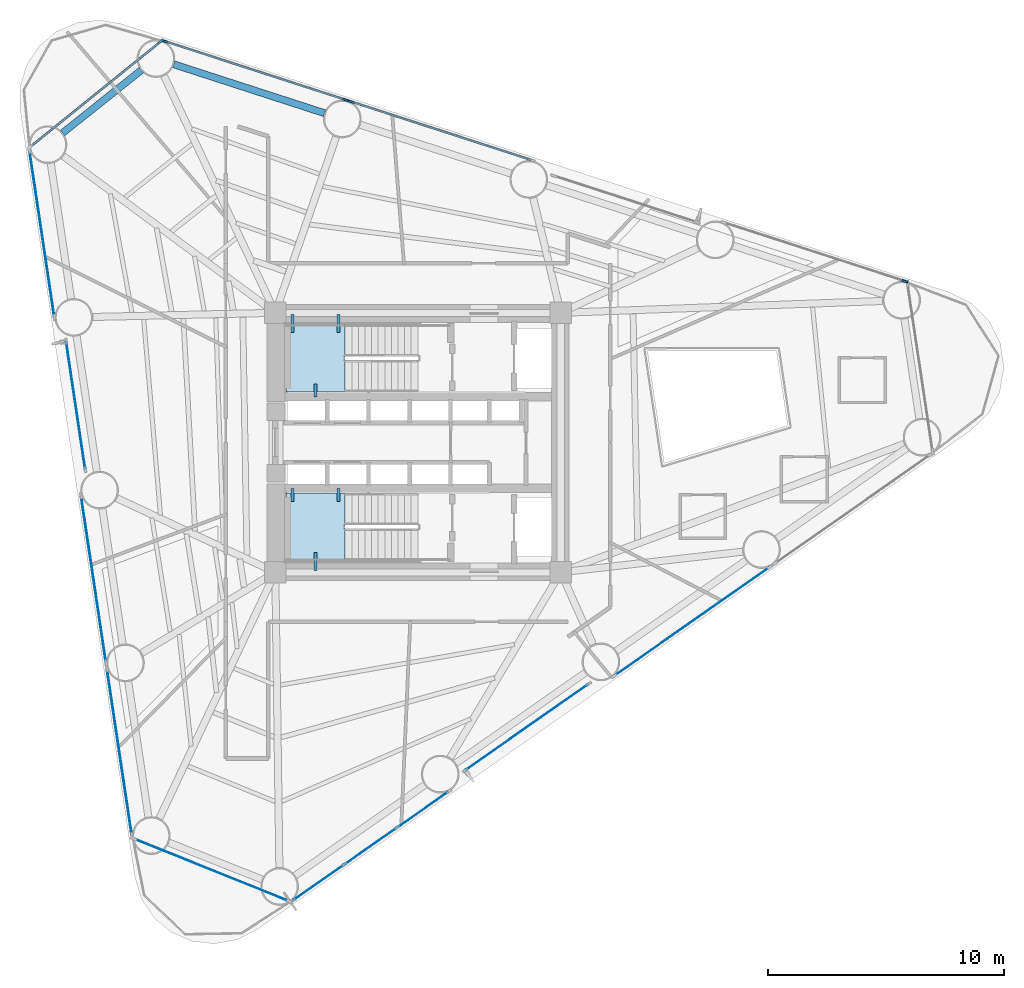
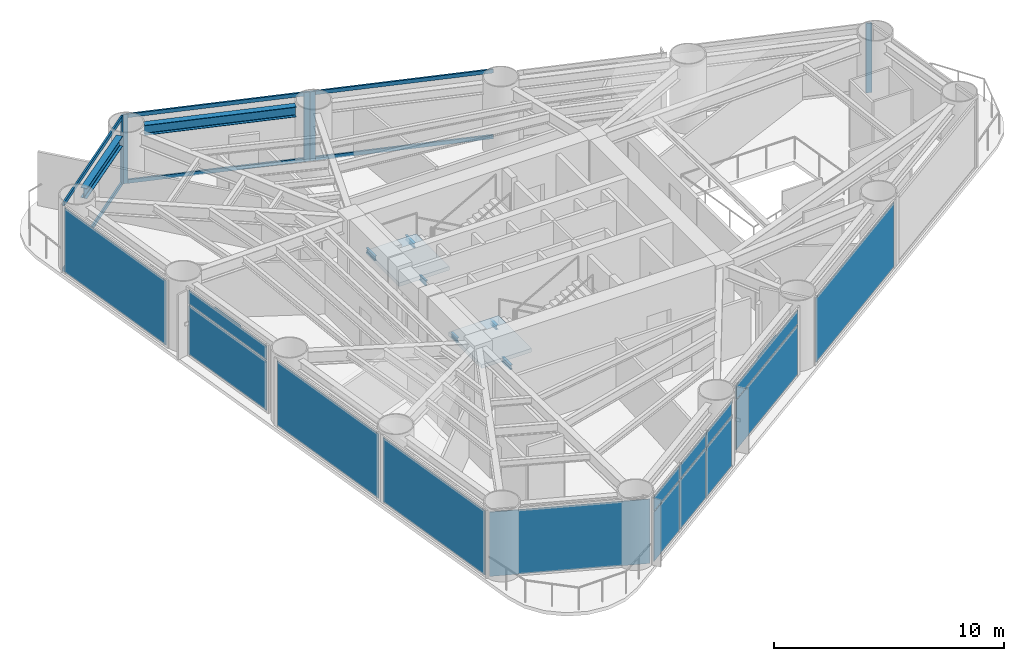
# One storey, part 4 of 9: 17 plates, 11 members, 8 beams, 2 slabs, 14 elements without a shape of their own.
"""IFC4 building model written with IfcOpenShell, lengths in metres."""

import ifcopenshell
import ifcopenshell.guid

model = None  # the IFC model being written
_history = None  # IfcOwnerHistory: only IFC2X3 demands one
_inside = {}  # id of a spatial element -> (the spatial element, [elements in it])
_under = {}  # id of a project, library or spatial element -> (it, [spatial elements below it])
_declared = {}  # id of a project -> (the project, [libraries it declares])
_typed = {}  # id of a type object -> (the type object, [elements of that type])
_made_of = {}  # id of a material, layer set ... -> (it, [elements and type objects made of it])


def new_model(schema):
    """Start an empty IFC model of exactly this schema.

    Asked for "IFC4X3", IfcOpenShell would pick the latest addendum, in which some entities
    have other attributes; the version numbers below select the first issue.
    IFC2X3 requires an IfcOwnerHistory on every rooted entity: one is made here for all.
    """
    global model, _history
    if schema == "IFC4X3":
        model = ifcopenshell.file(schema_version=(4, 3, 0, 0))
    else:
        model = ifcopenshell.file(schema=schema)
    _inside.clear()
    _under.clear()
    _declared.clear()
    _typed.clear()
    _made_of.clear()
    _history = None
    if model.schema == "IFC2X3":
        org = make("IfcOrganization", Name="unknown")
        user = make(
            "IfcPersonAndOrganization",
            ThePerson=make("IfcPerson", FamilyName="unknown"),
            TheOrganization=org,
        )
        app = make(
            "IfcApplication",
            ApplicationDeveloper=org,
            Version="unknown",
            ApplicationFullName="unknown",
            ApplicationIdentifier="unknown",
        )
        _history = make(
            "IfcOwnerHistory",
            OwningUser=user,
            OwningApplication=app,
            ChangeAction="ADDED",
            CreationDate=0,
        )
    return model


def make(cls, **values):
    """One entity of the class cls with the attributes given. An attribute that is None is left unset."""
    return model.create_entity(
        cls, **{name: value for name, value in values.items() if value is not None}
    )


def rooted(cls, **values):
    """An entity with a GlobalId (a new one), such as an element, a storey or a relation."""
    return make(cls, GlobalId=ifcopenshell.guid.new(), OwnerHistory=_history, **values)


def si_unit(unit_type, name, prefix=None):
    """IfcSIUnit, for example si_unit("LENGTHUNIT", "METRE", prefix="MILLI")."""
    return make("IfcSIUnit", UnitType=unit_type, Prefix=prefix, Name=name)


def assignment(units):
    """IfcUnitAssignment: the units of a project."""
    return None if units is None else make("IfcUnitAssignment", Units=units)


def point(xyz):
    """IfcCartesianPoint."""
    return None if xyz is None else make("IfcCartesianPoint", Coordinates=xyz)


def direction(xyz):
    """IfcDirection."""
    return None if xyz is None else make("IfcDirection", DirectionRatios=xyz)


def frame(location, z_axis=None, x_axis=None):
    """IfcAxis2Placement3D, a coordinate frame: its origin and axes. An axis left out is left unset."""
    return make(
        "IfcAxis2Placement3D",
        Location=point(location),
        Axis=direction(z_axis),
        RefDirection=direction(x_axis),
    )


def frame_2d(location, x_axis=None):
    """IfcAxis2Placement2D, a coordinate frame in the plane: its origin and x axis."""
    return make(
        "IfcAxis2Placement2D", Location=point(location), RefDirection=direction(x_axis)
    )


def origin():
    """The frame at (0, 0, 0) with its axes left unset."""
    return frame((0.0, 0.0, 0.0))


def origin_2d():
    """The frame at (0, 0) in the plane with its x axis left unset."""
    return frame_2d((0.0, 0.0))


def place(relative_to, where):
    """IfcLocalPlacement: puts the frame where relative to a parent placement (None: the world)."""
    return make(
        "IfcLocalPlacement", PlacementRelTo=relative_to, RelativePlacement=where
    )


def context(
    kind, dimensions, precision=None, world=None, true_north=None, identifier=None
):
    """IfcGeometricRepresentationContext, for example the 3D "Model" context."""
    return make(
        "IfcGeometricRepresentationContext",
        ContextIdentifier=identifier,
        ContextType=kind,
        CoordinateSpaceDimension=dimensions,
        Precision=precision,
        WorldCoordinateSystem=world,
        TrueNorth=true_north,
    )


def subcontext(parent, identifier, kind, view, scale=None):
    """IfcGeometricRepresentationSubContext, for example "Body" below "Model"."""
    return make(
        "IfcGeometricRepresentationSubContext",
        ContextIdentifier=identifier,
        ContextType=kind,
        ParentContext=parent,
        TargetScale=scale,
        TargetView=view,
    )


def project(units=None, contexts=None):
    """IfcProject with its units and contexts."""
    return rooted(
        "IfcProject",
        Name="project",
        RepresentationContexts=contexts,
        UnitsInContext=assignment(units),
    )


def spatial(cls, under=None, at=None, **own):
    """A site, building, storey or space (cls), placed at a placement, below another one or the project."""
    s = rooted(cls, ObjectPlacement=at, **own)
    if under is not None:
        _under.setdefault(under.id(), (under, []))[1].append(s)
    return s


def polyline(points):
    """IfcPolyline through the points."""
    return make("IfcPolyline", Points=[point(p) for p in points])


def profile(cls, at=None, kind="AREA", **sizes):
    """A parametric profile (cls). Its sizes go by their IFC names, for example OverallWidth=200.0."""
    return make(cls, ProfileType=kind, Position=at, **sizes)


def rectangle(**sizes):
    """IfcRectangleProfileDef."""
    return profile("IfcRectangleProfileDef", **sizes)


def i_section(**sizes):
    """IfcIShapeProfileDef."""
    return profile("IfcIShapeProfileDef", **sizes)


def outline(outer, holes=None, kind="AREA"):
    """IfcArbitraryClosedProfileDef: a profile drawn as a closed curve; with holes, ...WithVoids."""
    if holes is None:
        return make("IfcArbitraryClosedProfileDef", ProfileType=kind, OuterCurve=outer)
    return make(
        "IfcArbitraryProfileDefWithVoids",
        ProfileType=kind,
        OuterCurve=outer,
        InnerCurves=holes,
    )


def extrude(swept, where, along, depth):
    """IfcExtrudedAreaSolid: the profile swept, set in the frame where, extruded along a direction by depth."""
    return make(
        "IfcExtrudedAreaSolid",
        SweptArea=swept,
        Position=where,
        ExtrudedDirection=direction(along),
        Depth=depth,
    )


def shape(context_of_items, identifier, shape_type, items):
    """IfcShapeRepresentation: the items that make up one representation, for example the "Body"."""
    return make(
        "IfcShapeRepresentation",
        ContextOfItems=context_of_items,
        RepresentationIdentifier=identifier,
        RepresentationType=shape_type,
        Items=items,
    )


def source(mapping_origin, context_of_items, identifier, shape_type, items):
    """IfcRepresentationMap: a shape defined once, which mapped items show again and again."""
    return make(
        "IfcRepresentationMap",
        MappingOrigin=mapping_origin,
        MappedRepresentation=shape(context_of_items, identifier, shape_type, items),
    )


def transform(
    local_origin,
    x_axis=None,
    y_axis=None,
    z_axis=None,
    scale=None,
    scale2=None,
    scale3=None,
    uniform=True,
):
    """IfcCartesianTransformationOperator3D, or its non-uniform kind. x_axis, y_axis, z_axis: its Axis1, 2, 3."""
    if uniform:
        return make(
            "IfcCartesianTransformationOperator3D",
            Axis1=direction(x_axis),
            Axis2=direction(y_axis),
            LocalOrigin=point(local_origin),
            Scale=scale,
            Axis3=direction(z_axis),
        )
    return make(
        "IfcCartesianTransformationOperator3DnonUniform",
        Axis1=direction(x_axis),
        Axis2=direction(y_axis),
        LocalOrigin=point(local_origin),
        Scale=scale,
        Axis3=direction(z_axis),
        Scale2=scale2,
        Scale3=scale3,
    )


def mapped(mapping_source, mapping_target):
    """IfcMappedItem: shows the shape of a source again, moved by a transform."""
    return make(
        "IfcMappedItem", MappingSource=mapping_source, MappingTarget=mapping_target
    )


def material(Name=None, Category=None):
    """IfcMaterial."""
    return make("IfcMaterial", Name=Name, Category=Category)


def layer(
    of_material, thickness, ventilated=None, Name=None, Category=None, Priority=None
):
    """IfcMaterialLayer: one layer of a wall or slab, of a material (None: an air gap)."""
    return make(
        "IfcMaterialLayer",
        Material=of_material,
        LayerThickness=thickness,
        IsVentilated=ventilated,
        Name=Name,
        Category=Category,
        Priority=Priority,
    )


def layer_set(layers, Name=None):
    """IfcMaterialLayerSet."""
    return make("IfcMaterialLayerSet", MaterialLayers=layers, LayerSetName=Name)


def material_profile(
    of_material, cross_section, Name=None, Category=None, Priority=None
):
    """IfcMaterialProfile: a cross section and its material."""
    return make(
        "IfcMaterialProfile",
        Name=Name,
        Material=of_material,
        Profile=cross_section,
        Priority=Priority,
        Category=Category,
    )


def profile_set(profiles, Name=None, composite=None):
    """IfcMaterialProfileSet."""
    return make(
        "IfcMaterialProfileSet",
        Name=Name,
        MaterialProfiles=profiles,
        CompositeProfile=composite,
    )


def made_of(thing, what):
    """Note that an element or type object is made of a material, layer set ...; save() writes the relation."""
    if what is not None:
        _made_of.setdefault(what.id(), (what, []))[1].append(thing)
    return thing


def type_object(cls, material=None, **own):
    """A type object (cls), such as IfcWallType, which elements share."""
    return made_of(rooted(cls, **own), material)


def element(
    cls,
    number,
    at=None,
    inside=None,
    cuts=None,
    type_object=None,
    material=None,
    context=None,
    identifier="Body",
    shape_type=None,
    held_by="IfcProductDefinitionShape",
    body=None,
    shapes=None,
    **own,
):
    """One element of the class cls, such as IfcWall. Its Tag is "e" and its number.

    at: its placement. inside: the storey or other place that contains it. cuts: it is an
    opening in that element (IfcRelVoidsElement). A single representation is given by context,
    identifier, shape_type and body (its items); several are given by shapes. held_by: the class
    of the entity that holds the representations. save() writes the other relations.
    """
    e = rooted(cls, Tag="e%d" % number, ObjectPlacement=at, **own)
    if body is not None:
        shapes = [shape(context, identifier, shape_type, body)]
    if shapes is not None:
        e.Representation = make(held_by, Representations=shapes)
    if inside is not None:
        _inside.setdefault(inside.id(), (inside, []))[1].append(e)
    if cuts is not None:
        rooted(
            "IfcRelVoidsElement", RelatingBuildingElement=cuts, RelatedOpeningElement=e
        )
    if type_object is not None:
        _typed.setdefault(type_object.id(), (type_object, []))[1].append(e)
    return made_of(e, material)


def aggregate(whole, parts):
    """IfcRelAggregates: a whole, such as a stair, and the parts it consists of."""
    return rooted("IfcRelAggregates", RelatingObject=whole, RelatedObjects=parts)


def save(model, path):
    """Write the relations noted so far, then the file.

    IfcRelAggregates (storeys below a building ...), IfcRelContainedInSpatialStructure (elements
    in a storey), IfcRelDefinesByType, IfcRelAssociatesMaterial and IfcRelDeclares: one each for
    every whole, place, type object, material and project.
    """
    for whole, parts in _under.values():
        aggregate(whole, parts)
    for where, things in _inside.values():
        rooted(
            "IfcRelContainedInSpatialStructure",
            RelatedElements=things,
            RelatingStructure=where,
        )
    for kind, things in _typed.values():
        rooted("IfcRelDefinesByType", RelatedObjects=things, RelatingType=kind)
    for what, things in _made_of.values():
        rooted("IfcRelAssociatesMaterial", RelatedObjects=things, RelatingMaterial=what)
    for by, libraries in _declared.values():
        rooted("IfcRelDeclares", RelatingContext=by, RelatedDefinitions=libraries)
    model.write(path)


model = new_model("IFC4")

# Units and contexts
model_context = context("Model", 3, precision=1e-05, world=origin(), true_north=direction((0.0, 1.0)))
body_context = subcontext(model_context, "Body", "Model", "MODEL_VIEW")
ifc_project = project(units=[si_unit("LENGTHUNIT", "METRE"), si_unit("AREAUNIT", "SQUARE_METRE"), si_unit("VOLUMEUNIT", "CUBIC_METRE"), si_unit("PLANEANGLEUNIT", "RADIAN"), si_unit("MASSUNIT", "GRAM", prefix="KILO")], contexts=[model_context])

# Site, building, storey
site_placement = place(None, origin())
site = spatial("IfcSite", under=ifc_project, at=site_placement, CompositionType="ELEMENT")
building_placement = place(site_placement, origin())
building = spatial("IfcBuilding", under=site, at=building_placement, Name="Yunling Apex Tower", CompositionType="ELEMENT")
storey_placement = place(building_placement, frame((0.0, 0.0, 77.300048828125)))
storey = spatial("IfcBuildingStorey", under=building, at=storey_placement, Name="L20", CompositionType="ELEMENT", Elevation=77.300048828125)

# Beams
ifc_material_1 = material(Name="Steel Q355B", Category="steel")
ifc_material_profile_1 = material_profile(ifc_material_1, i_section(OverallWidth=0.125, OverallDepth=0.25, WebThickness=0.006103515625, FlangeThickness=0.009033203125, FilletRadius=0.011962890625, at=origin_2d()))
ifc_profile_set_1 = profile_set([ifc_material_profile_1], Name="Steel Q355B")
beam_type_1 = type_object("IfcBeamType", Name="BL-LNT-1", PredefinedType="LINTEL", material=ifc_profile_set_1)
shared_shape_1 = source(origin(), body_context, "Body", "SweptSolid", [
    extrude(i_section(OverallWidth=0.125, OverallDepth=0.25, WebThickness=0.006103515625, FlangeThickness=0.009033203125, FilletRadius=0.011962890625, at=origin_2d()), origin(), (0.0, 0.0, 1.0), 0.760009765625),
])
for number, where, z_axis, x_axis, name in (
    (1, (-5.320068359375, 5.419921875, 1.554931640625), (0.0, -1.0, 0.0), (1.0, 0.0, 0.0), "L20 ST-1 Landing Bearing Corbel 1-1"),
    (2, (-3.3701171875, 5.419921875, 1.554931640625), (0.0, -1.0, 0.0), (1.0, 0.0, 0.0), "L20 ST-1 Landing Bearing Corbel 1-2"),
    (3, (-4.344970703125, -5.419921875, 1.554931640625), (0.0, 1.0, 0.0), (-1.0, 0.0, 0.0), "L20 ST-2 Landing Bearing Corbel 1-3"),
):
    element("IfcBeam", number, at=place(storey_placement, frame(where, z_axis=z_axis, x_axis=x_axis)), inside=storey, type_object=beam_type_1, Name=name, PredefinedType="LINTEL", context=body_context, shape_type="MappedRepresentation", body=[
        mapped(shared_shape_1, transform((0.0, 0.0, 0.0), scale=1.0)),
    ])
shared_shape_2 = source(origin(), body_context, "Body", "SweptSolid", [
    extrude(i_section(OverallWidth=0.125, OverallDepth=0.25, WebThickness=0.006103515625, FlangeThickness=0.009033203125, FilletRadius=0.011962890625, at=origin_2d()), origin(), (0.0, 0.0, 1.0), 0.550048828125),
])
for number, where, z_axis, x_axis, name in (
    (4, (-4.344970703125, 1.93994140625, 1.554931640625), (0.0, 1.0, 0.0), (-1.0, 0.0, 0.0), "L20 ST-1 Landing Bearing Corbel 1-3"),
    (5, (-5.320068359375, -1.93994140625, 1.554931640625), (0.0, -1.0, 0.0), (1.0, 0.0, 0.0), "L20 ST-2 Landing Bearing Corbel 1-1"),
    (6, (-3.3701171875, -1.93994140625, 1.554931640625), (0.0, -1.0, 0.0), (1.0, 0.0, 0.0), "L20 ST-2 Landing Bearing Corbel 1-2"),
):
    element("IfcBeam", number, at=place(storey_placement, frame(where, z_axis=z_axis, x_axis=x_axis)), inside=storey, type_object=beam_type_1, Name=name, PredefinedType="LINTEL", context=body_context, shape_type="MappedRepresentation", body=[
        mapped(shared_shape_2, transform((0.0, 0.0, 0.0), scale=1.0)),
    ])
ifc_material_profile_2 = material_profile(ifc_material_1, i_section(OverallWidth=0.300048828125, OverallDepth=0.5400390625, WebThickness=0.011962890625, FlangeThickness=0.02001953125, FilletRadius=0.02392578125, at=origin_2d()))
ifc_profile_set_2 = profile_set([ifc_material_profile_2], Name="Steel Q355B")
beam_type_2 = type_object("IfcBeamType", Name="BP-SPN-1", PredefinedType="SPANDREL", material=ifc_profile_set_2)
shared_shape_3 = source(origin(), body_context, "Body", "SweptSolid", [
    extrude(i_section(OverallWidth=0.300048828125, OverallDepth=0.5400390625, WebThickness=0.011962890625, FlangeThickness=0.02001953125, FilletRadius=0.02392578125, at=origin_2d()), origin(), (0.0, 0.0, 1.0), 6.721435546875),
])
beam_1_placement = place(storey_placement, frame((-3.96484375, 13.9638671875, 3.294921875), z_axis=(-0.95126256707, 0.308382114415, 0.0), x_axis=(-0.308382114415, -0.95126256707, 0.0)))
element("IfcBeam", 7, at=beam_1_placement, inside=storey, type_object=beam_type_2, Name="L20 Perimeter Spandrel Beam 9", PredefinedType="SPANDREL", context=body_context, shape_type="MappedRepresentation", body=[
    mapped(shared_shape_3, transform((0.0, 0.0, 0.0), scale=1.0)),
])
shared_shape_4 = source(origin(), body_context, "Body", "SweptSolid", [
    extrude(i_section(OverallWidth=0.300048828125, OverallDepth=0.5400390625, WebThickness=0.011962890625, FlangeThickness=0.02001953125, FilletRadius=0.02392578125, at=origin_2d()), origin(), (0.0, 0.0, 1.0), 4.265869140625),
])
beam_2_placement = place(storey_placement, frame((-11.734619140625, 15.785888671875, 3.294921875), z_axis=(-0.781560697893, -0.623829203796, 0.0), x_axis=(0.623829203796, -0.781560697893, 0.0)))
element("IfcBeam", 8, at=beam_2_placement, inside=storey, type_object=beam_type_2, Name="L20 Perimeter Spandrel Beam 10", PredefinedType="SPANDREL", context=body_context, shape_type="MappedRepresentation", body=[
    mapped(shared_shape_4, transform((0.0, 0.0, 0.0), scale=1.0)),
])

# Curtain wall, member
ifc_material_2 = material(Name="Bronze anodised aluminium", Category="aluminium")
ifc_layer_1 = layer(ifc_material_2, 0.260009765625)
ifc_layer_set_1 = layer_set([ifc_layer_1], Name="Bronze anodised aluminium")
curtain_wall_type = type_object("IfcCurtainWallType", Name="CW-SYS-2", PredefinedType="NOTDEFINED", material=ifc_layer_set_1)
curtain_wall_1_placement = place(storey_placement, origin())
curtain_wall_1 = element("IfcCurtainWall", 9, at=curtain_wall_1_placement, inside=storey, type_object=curtain_wall_type, Name="CW-L20-F2-B1", PredefinedType="NOTDEFINED")
ifc_material_profile_3 = material_profile(ifc_material_2, rectangle(XDim=0.0849609375, YDim=0.260009765625, at=origin_2d()))
ifc_profile_set_3 = profile_set([ifc_material_profile_3], Name="Bronze anodised aluminium")
member_type_1 = type_object("IfcMemberType", Name="CW-MUL-2", PredefinedType="MULLION", material=ifc_profile_set_3)
shared_shape_5 = source(origin(), body_context, "Body", "SweptSolid", [
    extrude(rectangle(XDim=0.0849609375, YDim=0.260009765625, at=origin_2d()), origin(), (0.0, 0.0, 1.0), 3.6650390625),
])
member_1_placement = place(storey_placement, frame((20.63671875, 6.8408203125, -0.050048828125), z_axis=(0.0, 0.0, 1.0), x_axis=(-0.30835735341, -0.951270593784, 0.0)))
member_1 = element("IfcMember", 10, at=member_1_placement, type_object=member_type_1, Name="CW-SYS-2 mullion 1", PredefinedType="MULLION", context=body_context, shape_type="MappedRepresentation", body=[
    mapped(shared_shape_5, transform((0.0, 0.0, 0.0), scale=1.0)),
])
aggregate(curtain_wall_1, [member_1])

curtain_wall_2_placement = place(storey_placement, origin())
curtain_wall_2 = element("IfcCurtainWall", 11, at=curtain_wall_2_placement, inside=storey, type_object=curtain_wall_type, Name="CW-L20-F2-B3", PredefinedType="NOTDEFINED")
member_2_placement = place(storey_placement, frame((-2.84326171875, 14.451904296875, -0.050048828125), z_axis=(0.0, 0.0, 1.0), x_axis=(-0.308368457544, -0.951266994272, 0.0)))
member_2 = element("IfcMember", 12, at=member_2_placement, type_object=member_type_1, Name="CW-SYS-2 mullion 2", PredefinedType="MULLION", context=body_context, shape_type="MappedRepresentation", body=[
    mapped(shared_shape_5, transform((0.0, 0.0, 0.0), scale=1.0)),
])

# Curtain wall, members
curtain_wall_3_placement = place(storey_placement, origin())
curtain_wall_3 = element("IfcCurtainWall", 13, at=curtain_wall_3_placement, inside=storey, type_object=curtain_wall_type, Name="CW-L20-F2-B4", PredefinedType="NOTDEFINED")
member_3_placement = place(storey_placement, frame((-3.076416015625, 14.52734375, -0.050048828125), z_axis=(0.0, 0.0, 1.0), x_axis=(-0.30835735341, -0.951270593784, 0.0)))
member_3 = element("IfcMember", 14, at=member_3_placement, type_object=member_type_1, Name="CW-SYS-2 mullion 1", PredefinedType="MULLION", context=body_context, shape_type="MappedRepresentation", body=[
    mapped(shared_shape_5, transform((0.0, 0.0, 0.0), scale=1.0)),
])
member_4_placement = place(storey_placement, frame((-10.747802734375, 17.01416015625, -0.050048828125), z_axis=(0.0, 0.0, 1.0), x_axis=(-0.30835735341, -0.951270593784, 0.0)))
member_4 = element("IfcMember", 15, at=member_4_placement, type_object=member_type_1, Name="CW-SYS-2 mullion 2", PredefinedType="MULLION", context=body_context, shape_type="MappedRepresentation", body=[
    mapped(shared_shape_5, transform((0.0, 0.0, 0.0), scale=1.0)),
])

# Curtain wall, member
curtain_wall_4_placement = place(storey_placement, origin())
curtain_wall_4 = element("IfcCurtainWall", 16, at=curtain_wall_4_placement, inside=storey, type_object=curtain_wall_type, Name="CW-L20-CRN2", PredefinedType="NOTDEFINED")
member_5_placement = place(storey_placement, frame((-10.903564453125, 17.006103515625, -0.050048828125), z_axis=(0.0, 0.0, 1.0), x_axis=(0.628079941911, -0.778148820322, 0.0)))
member_5 = element("IfcMember", 17, at=member_5_placement, type_object=member_type_1, Name="CW-SYS-2 mullion 1", PredefinedType="MULLION", context=body_context, shape_type="MappedRepresentation", body=[
    mapped(shared_shape_5, transform((0.0, 0.0, 0.0), scale=1.0)),
])

# Member
ifc_material_profile_4 = material_profile(ifc_material_2, rectangle(XDim=0.0849609375, YDim=0.199951171875, at=origin_2d()))
ifc_profile_set_4 = profile_set([ifc_material_profile_4], Name="Bronze anodised aluminium")
member_type_2 = type_object("IfcMemberType", Name="CW-TRN-2", PredefinedType="USERDEFINED", material=ifc_profile_set_4)
shared_shape_6 = source(origin(), body_context, "Body", "SweptSolid", [
    extrude(rectangle(XDim=0.0849609375, YDim=0.199951171875, at=origin_2d()), origin(), (0.0, 0.0, 1.0), 7.98779296875),
])
member_6_placement = place(storey_placement, frame((4.79150390625, 11.976806640625, 0.04248046875), z_axis=(-0.951258205262, 0.308395568907, 0.0), x_axis=(-0.308395568907, -0.951258205262, 0.0)))
member_6 = element("IfcMember", 18, at=member_6_placement, type_object=member_type_2, Name="CW-SYS-2 transom 1.1", ObjectType="TRANSOM", PredefinedType="USERDEFINED", context=body_context, shape_type="MappedRepresentation", body=[
    mapped(shared_shape_6, transform((0.0, 0.0, 0.0), scale=1.0)),
])

member_7_placement = place(storey_placement, frame((4.79150390625, 11.976806640625, 3.5224609375), z_axis=(-0.951258205262, 0.308395568907, 0.0), x_axis=(-0.308395568907, -0.951258205262, 0.0)))
member_7 = element("IfcMember", 19, at=member_7_placement, type_object=member_type_2, Name="CW-SYS-2 transom 1.2", ObjectType="TRANSOM", PredefinedType="USERDEFINED", context=body_context, shape_type="MappedRepresentation", body=[
    mapped(shared_shape_6, transform((0.0, 0.0, 0.0), scale=1.0)),
])

aggregate(curtain_wall_2, [member_2, member_6, member_7])

member_8_placement = place(storey_placement, frame((-3.11279296875, 14.539306640625, 0.04248046875), z_axis=(-0.951279042821, 0.308331287237, 0.0), x_axis=(-0.308331287237, -0.951279042821, 0.0)))
member_8 = element("IfcMember", 20, at=member_8_placement, type_object=member_type_2, Name="CW-SYS-2 transom 1.1", ObjectType="TRANSOM", PredefinedType="USERDEFINED", context=body_context, shape_type="MappedRepresentation", body=[
    mapped(shared_shape_6, transform((0.0, 0.0, 0.0), scale=1.0)),
])

member_9_placement = place(storey_placement, frame((-3.11279296875, 14.539306640625, 3.5224609375), z_axis=(-0.951279042821, 0.308331287237, 0.0), x_axis=(-0.308331287237, -0.951279042821, 0.0)))
member_9 = element("IfcMember", 21, at=member_9_placement, type_object=member_type_2, Name="CW-SYS-2 transom 1.2", ObjectType="TRANSOM", PredefinedType="USERDEFINED", context=body_context, shape_type="MappedRepresentation", body=[
    mapped(shared_shape_6, transform((0.0, 0.0, 0.0), scale=1.0)),
])

aggregate(curtain_wall_3, [member_3, member_4, member_8, member_9])

shared_shape_7 = source(origin(), body_context, "Body", "SweptSolid", [
    extrude(rectangle(XDim=0.0849609375, YDim=0.199951171875, at=origin_2d()), origin(), (0.0, 0.0, 1.0), 7.03515625),
])
member_10_placement = place(storey_placement, frame((-10.933349609375, 16.982177734375, 0.04248046875), z_axis=(-0.778142739989, -0.628087474961, 0.0), x_axis=(0.628087474961, -0.778142739989, 0.0)))
member_10 = element("IfcMember", 22, at=member_10_placement, type_object=member_type_2, Name="CW-SYS-2 transom 1.1", ObjectType="TRANSOM", PredefinedType="USERDEFINED", context=body_context, shape_type="MappedRepresentation", body=[
    mapped(shared_shape_7, transform((0.0, 0.0, 0.0), scale=1.0)),
])

member_11_placement = place(storey_placement, frame((-10.933349609375, 16.982177734375, 3.5224609375), z_axis=(-0.778142739989, -0.628087474961, 0.0), x_axis=(0.628087474961, -0.778142739989, 0.0)))
member_11 = element("IfcMember", 23, at=member_11_placement, type_object=member_type_2, Name="CW-SYS-2 transom 1.2", ObjectType="TRANSOM", PredefinedType="USERDEFINED", context=body_context, shape_type="MappedRepresentation", body=[
    mapped(shared_shape_7, transform((0.0, 0.0, 0.0), scale=1.0)),
])

aggregate(curtain_wall_4, [member_5, member_10, member_11])

# Stair, slab
ifc_material_3 = material(Name="Concrete C40", Category="concrete")
stair_type = type_object("IfcStairType", Name="ST-TWR-1", PredefinedType="HALF_TURN_STAIR", material=ifc_material_3)
stair_1_placement = place(storey_placement, origin())
stair_1 = element("IfcStair", 24, at=stair_1_placement, inside=storey, type_object=stair_type, Name="L20 North Core Smokeproof Exit Stair ST-1", PredefinedType="HALF_TURN_STAIR")
ifc_layer_2 = layer(ifc_material_3, 0.195068359375)
ifc_layer_set_2 = layer_set([ifc_layer_2], Name="Concrete C40")
slab_type = type_object("IfcSlabType", Name="SL-LND-1", PredefinedType="LANDING", material=ifc_layer_set_2)
slab_1_placement = place(storey_placement, frame((0.0, 0.0, 1.679931640625)))
slab_1 = element("IfcSlab", 25, at=slab_1_placement, type_object=slab_type, Name="ST-1 landing 1", PredefinedType="LANDING", context=body_context, shape_type="SweptSolid", body=[
    extrude(outline(polyline([(-3.090087890625, 5.010009765625), (-5.60009765625, 5.010009765625), (-5.60009765625, 2.139892578125), (-3.090087890625, 2.139892578125), (-3.090087890625, 5.010009765625)])), origin(), (0.0, 0.0, 1.0), 0.195068359375),
])
aggregate(stair_1, [slab_1])

stair_2_placement = place(storey_placement, origin())
stair_2 = element("IfcStair", 26, at=stair_2_placement, inside=storey, type_object=stair_type, Name="L20 South Core Smokeproof Exit Stair ST-2", PredefinedType="HALF_TURN_STAIR")
slab_2_placement = place(storey_placement, frame((0.0, 0.0, 1.679931640625)))
slab_2 = element("IfcSlab", 27, at=slab_2_placement, type_object=slab_type, Name="ST-2 landing 1", PredefinedType="LANDING", context=body_context, shape_type="SweptSolid", body=[
    extrude(outline(polyline([(-3.090087890625, -2.139892578125), (-5.60009765625, -2.139892578125), (-5.60009765625, -5.010009765625), (-3.090087890625, -5.010009765625), (-3.090087890625, -2.139892578125)])), origin(), (0.0, 0.0, 1.0), 0.195068359375),
])
aggregate(stair_2, [slab_2])

# Plates
ifc_layer_3 = layer(ifc_material_2, 0.011962890625)
ifc_layer_set_3 = layer_set([ifc_layer_3], Name="Bronze anodised aluminium")
plate_type_1 = type_object("IfcPlateType", Name="SP-SHT-1", PredefinedType="SHEET", material=ifc_layer_set_3)
shared_shape_8 = source(origin(), body_context, "Body", "SweptSolid", [
    extrude(rectangle(XDim=1.800048828125, YDim=0.02392578125, at=origin_2d()), origin(), (0.0, 0.0, 1.0), 0.43994140625),
])
for number, where, z_axis, x_axis, name in (
    (28, (4.615966796875, -12.0625, 3.1650390625), (0.0, 0.0, 1.0), (0.819552276527, 0.573004420611, 0.0), "SP-GRV-L20-F1"),
    (29, (-14.51220703125, 1.57470703125, 3.1650390625), (0.0, 0.0, 1.0), (0.14780941113, -0.989015863362, 0.0), "SP-GRV-L20-F3"),
):
    element("IfcPlate", number, at=place(storey_placement, frame(where, z_axis=z_axis, x_axis=x_axis)), inside=storey, type_object=plate_type_1, Name=name, PredefinedType="SHEET", context=body_context, shape_type="MappedRepresentation", body=[
        mapped(shared_shape_8, transform((0.0, 0.0, 0.0), scale=1.0)),
    ])

# Curtain wall, plates
curtain_wall_5_placement = place(storey_placement, origin())
curtain_wall_5 = element("IfcCurtainWall", 30, at=curtain_wall_5_placement, inside=storey, type_object=curtain_wall_type, Name="CW-L20-F1-B1", PredefinedType="NOTDEFINED")
ifc_material_4 = material(Name="Bronze tinted low-E glass", Category="glass")
ifc_layer_4 = layer(ifc_material_4, 0.033935546875)
ifc_layer_set_4 = layer_set([ifc_layer_4], Name="Bronze tinted low-E glass")
plate_type_2 = type_object("IfcPlateType", Name="CW-PNL-2", PredefinedType="CURTAIN_PANEL", material=ifc_layer_set_4)
shared_shape_9 = source(origin(), body_context, "Body", "SweptSolid", [
    extrude(rectangle(XDim=2.60546875, YDim=0.033935546875, at=origin_2d()), origin(), (0.0, 0.0, 1.0), 2.60400390625),
])
plate_1_placement = place(storey_placement, frame((-4.2080078125, -18.64697265625, 0.07666015625), z_axis=(0.0, 0.0, 1.0), x_axis=(0.819552319691, 0.573004358875, 0.0)))
plate_1 = element("IfcPlate", 31, at=plate_1_placement, type_object=plate_type_2, Name="CW-SYS-2 panel 1.1", PredefinedType="CURTAIN_PANEL", context=body_context, shape_type="MappedRepresentation", body=[
    mapped(shared_shape_9, transform((0.0, 0.0, 0.0), scale=1.0)),
])
plate_2_placement = place(storey_placement, frame((0.209716796875, -15.55810546875, 0.07666015625), z_axis=(0.0, 0.0, 1.0), x_axis=(0.819552319691, 0.573004358875, 0.0)))
plate_2 = element("IfcPlate", 32, at=plate_2_placement, type_object=plate_type_2, Name="CW-SYS-2 panel 3.1", PredefinedType="CURTAIN_PANEL", context=body_context, shape_type="MappedRepresentation", body=[
    mapped(shared_shape_9, transform((0.0, 0.0, 0.0), scale=1.0)),
])
shared_shape_10 = source(origin(), body_context, "Body", "SweptSolid", [
    extrude(rectangle(XDim=2.60546875, YDim=0.033935546875, at=origin_2d()), origin(), (0.0, 0.0, 1.0), 0.739013671875),
])
plate_3_placement = place(storey_placement, frame((-4.2080078125, -18.64697265625, 2.7490234375), z_axis=(0.0, 0.0, 1.0), x_axis=(0.819552319691, 0.573004358875, 0.0)))
plate_3 = element("IfcPlate", 33, at=plate_3_placement, type_object=plate_type_2, Name="CW-SYS-2 panel 1.2", PredefinedType="CURTAIN_PANEL", context=body_context, shape_type="MappedRepresentation", body=[
    mapped(shared_shape_10, transform((0.0, 0.0, 0.0), scale=1.0)),
])
plate_4_placement = place(storey_placement, frame((0.209716796875, -15.55810546875, 2.7490234375), z_axis=(0.0, 0.0, 1.0), x_axis=(0.819552319691, 0.573004358875, 0.0)))
plate_4 = element("IfcPlate", 34, at=plate_4_placement, type_object=plate_type_2, Name="CW-SYS-2 panel 3.2", PredefinedType="CURTAIN_PANEL", context=body_context, shape_type="MappedRepresentation", body=[
    mapped(shared_shape_10, transform((0.0, 0.0, 0.0), scale=1.0)),
])
shared_shape_11 = source(origin(), body_context, "Body", "SweptSolid", [
    extrude(rectangle(XDim=2.64794921875, YDim=0.033935546875, at=origin_2d()), origin(), (0.0, 0.0, 1.0), 2.60400390625),
])
plate_5_placement = place(storey_placement, frame((-1.9990234375, -17.1025390625, 0.07666015625), z_axis=(0.0, 0.0, 1.0), x_axis=(0.819552319691, 0.573004358875, 0.0)))
plate_5 = element("IfcPlate", 35, at=plate_5_placement, type_object=plate_type_2, Name="CW-SYS-2 panel 2.1", PredefinedType="CURTAIN_PANEL", context=body_context, shape_type="MappedRepresentation", body=[
    mapped(shared_shape_11, transform((0.0, 0.0, 0.0), scale=1.0)),
])
shared_shape_12 = source(origin(), body_context, "Body", "SweptSolid", [
    extrude(rectangle(XDim=2.64794921875, YDim=0.033935546875, at=origin_2d()), origin(), (0.0, 0.0, 1.0), 0.739013671875),
])
plate_6_placement = place(storey_placement, frame((-1.9990234375, -17.1025390625, 2.7490234375), z_axis=(0.0, 0.0, 1.0), x_axis=(0.819552319691, 0.573004358875, 0.0)))
plate_6 = element("IfcPlate", 36, at=plate_6_placement, type_object=plate_type_2, Name="CW-SYS-2 panel 2.2", PredefinedType="CURTAIN_PANEL", context=body_context, shape_type="MappedRepresentation", body=[
    mapped(shared_shape_12, transform((0.0, 0.0, 0.0), scale=1.0)),
])
aggregate(curtain_wall_5, [plate_1, plate_3, plate_5, plate_6, plate_2, plate_4])

curtain_wall_6_placement = place(storey_placement, origin())
curtain_wall_6 = element("IfcCurtainWall", 37, at=curtain_wall_6_placement, inside=storey, type_object=curtain_wall_type, Name="CW-L20-F1-B2", PredefinedType="NOTDEFINED")
shared_shape_13 = source(origin(), body_context, "Body", "SweptSolid", [
    extrude(rectangle(XDim=6.315673828125, YDim=0.033935546875, at=origin_2d()), origin(), (0.0, 0.0, 1.0), 2.60400390625),
])
plate_7_placement = place(storey_placement, frame((4.615966796875, -12.0625, 0.07666015625), z_axis=(0.0, 0.0, 1.0), x_axis=(0.819553499175, 0.573002671888, 0.0)))
plate_7 = element("IfcPlate", 38, at=plate_7_placement, type_object=plate_type_2, Name="CW-SYS-2 panel 1.1", PredefinedType="CURTAIN_PANEL", context=body_context, shape_type="MappedRepresentation", body=[
    mapped(shared_shape_13, transform((0.0, 0.0, 0.0), scale=1.0)),
])
shared_shape_14 = source(origin(), body_context, "Body", "SweptSolid", [
    extrude(rectangle(XDim=6.315673828125, YDim=0.033935546875, at=origin_2d()), origin(), (0.0, 0.0, 1.0), 0.739013671875),
])
plate_8_placement = place(storey_placement, frame((4.615966796875, -12.0625, 2.7490234375), z_axis=(0.0, 0.0, 1.0), x_axis=(0.819553499175, 0.573002671888, 0.0)))
plate_8 = element("IfcPlate", 39, at=plate_8_placement, type_object=plate_type_2, Name="CW-SYS-2 panel 1.2", PredefinedType="CURTAIN_PANEL", context=body_context, shape_type="MappedRepresentation", body=[
    mapped(shared_shape_14, transform((0.0, 0.0, 0.0), scale=1.0)),
])
aggregate(curtain_wall_6, [plate_7, plate_8])

# Curtain wall, plate
curtain_wall_7_placement = place(storey_placement, origin())
curtain_wall_7 = element("IfcCurtainWall", 40, at=curtain_wall_7_placement, inside=storey, type_object=curtain_wall_type, Name="CW-L20-F1-B3", PredefinedType="NOTDEFINED")
shared_shape_15 = source(origin(), body_context, "Body", "SweptSolid", [
    extrude(rectangle(XDim=7.995849609375, YDim=0.033935546875, at=origin_2d()), origin(), (0.0, 0.0, 1.0), 3.41162109375),
])
plate_9_placement = place(storey_placement, frame((11.62060546875, -7.579833984375, 0.07666015625), z_axis=(0.0, 0.0, 1.0), x_axis=(0.819558082217, 0.572996116804, 0.0)))
plate_9 = element("IfcPlate", 41, at=plate_9_placement, type_object=plate_type_2, Name="CW-SYS-2 panel 1.1", PredefinedType="CURTAIN_PANEL", context=body_context, shape_type="MappedRepresentation", body=[
    mapped(shared_shape_15, transform((0.0, 0.0, 0.0), scale=1.0)),
])
aggregate(curtain_wall_7, [plate_9])

curtain_wall_8_placement = place(storey_placement, origin())
curtain_wall_8 = element("IfcCurtainWall", 42, at=curtain_wall_8_placement, inside=storey, type_object=curtain_wall_type, Name="CW-L20-CRN3", PredefinedType="NOTDEFINED")
shared_shape_16 = source(origin(), body_context, "Body", "SweptSolid", [
    extrude(rectangle(XDim=7.043212890625, YDim=0.033935546875, at=origin_2d()), origin(), (0.0, 0.0, 1.0), 3.41162109375),
])
plate_10_placement = place(storey_placement, frame((-8.75390625, -18.1240234375, 0.07666015625), z_axis=(0.0, 0.0, 1.0), x_axis=(0.927773562961, -0.373143693329, 0.0)))
plate_10 = element("IfcPlate", 43, at=plate_10_placement, type_object=plate_type_2, Name="CW-SYS-2 panel 1.1", PredefinedType="CURTAIN_PANEL", context=body_context, shape_type="MappedRepresentation", body=[
    mapped(shared_shape_16, transform((0.0, 0.0, 0.0), scale=1.0)),
])
aggregate(curtain_wall_8, [plate_10])

curtain_wall_9_placement = place(storey_placement, origin())
curtain_wall_9 = element("IfcCurtainWall", 44, at=curtain_wall_9_placement, inside=storey, type_object=curtain_wall_type, Name="CW-L20-F3-B1", PredefinedType="NOTDEFINED")
shared_shape_17 = source(origin(), body_context, "Body", "SweptSolid", [
    extrude(rectangle(XDim=7.091552734375, YDim=0.033935546875, at=origin_2d()), origin(), (0.0, 0.0, 1.0), 3.41162109375),
])
plate_11_placement = place(storey_placement, frame((-15.943115234375, 8.847900390625, 0.07666015625), z_axis=(0.0, 0.0, 1.0), x_axis=(0.147799122579, -0.989017400941, 0.0)))
plate_11 = element("IfcPlate", 45, at=plate_11_placement, type_object=plate_type_2, Name="CW-SYS-2 panel 1.1", PredefinedType="CURTAIN_PANEL", context=body_context, shape_type="MappedRepresentation", body=[
    mapped(shared_shape_17, transform((0.0, 0.0, 0.0), scale=1.0)),
])
aggregate(curtain_wall_9, [plate_11])

# Curtain wall, plates
curtain_wall_10_placement = place(storey_placement, origin())
curtain_wall_10 = element("IfcCurtainWall", 46, at=curtain_wall_10_placement, inside=storey, type_object=curtain_wall_type, Name="CW-L20-F3-B2", PredefinedType="NOTDEFINED")
shared_shape_18 = source(origin(), body_context, "Body", "SweptSolid", [
    extrude(rectangle(XDim=5.411376953125, YDim=0.033935546875, at=origin_2d()), origin(), (0.0, 0.0, 1.0), 2.60400390625),
])
plate_12_placement = place(storey_placement, frame((-14.51220703125, 1.57470703125, 0.07666015625), z_axis=(0.0, 0.0, 1.0), x_axis=(0.147800900076, -0.98901713531, 0.0)))
plate_12 = element("IfcPlate", 47, at=plate_12_placement, type_object=plate_type_2, Name="CW-SYS-2 panel 1.1", PredefinedType="CURTAIN_PANEL", context=body_context, shape_type="MappedRepresentation", body=[
    mapped(shared_shape_18, transform((0.0, 0.0, 0.0), scale=1.0)),
])
shared_shape_19 = source(origin(), body_context, "Body", "SweptSolid", [
    extrude(rectangle(XDim=5.411376953125, YDim=0.033935546875, at=origin_2d()), origin(), (0.0, 0.0, 1.0), 0.739013671875),
])
plate_13_placement = place(storey_placement, frame((-14.51220703125, 1.57470703125, 2.7490234375), z_axis=(0.0, 0.0, 1.0), x_axis=(0.147800900076, -0.98901713531, 0.0)))
plate_13 = element("IfcPlate", 48, at=plate_13_placement, type_object=plate_type_2, Name="CW-SYS-2 panel 1.2", PredefinedType="CURTAIN_PANEL", context=body_context, shape_type="MappedRepresentation", body=[
    mapped(shared_shape_19, transform((0.0, 0.0, 0.0), scale=1.0)),
])
aggregate(curtain_wall_10, [plate_12, plate_13])

# Curtain wall, plate
curtain_wall_11_placement = place(storey_placement, origin())
curtain_wall_11 = element("IfcCurtainWall", 49, at=curtain_wall_11_placement, inside=storey, type_object=curtain_wall_type, Name="CW-L20-F3-B3", PredefinedType="NOTDEFINED")
shared_shape_20 = source(origin(), body_context, "Body", "SweptSolid", [
    extrude(rectangle(XDim=7.09130859375, YDim=0.033935546875, at=origin_2d()), origin(), (0.0, 0.0, 1.0), 3.41162109375),
])
plate_14_placement = place(storey_placement, frame((-13.75390625, -5.799072265625, 0.07666015625), z_axis=(0.0, 0.0, 1.0), x_axis=(0.147814641525, -0.98901508166, 0.0)))
plate_14 = element("IfcPlate", 50, at=plate_14_placement, type_object=plate_type_2, Name="CW-SYS-2 panel 1.1", PredefinedType="CURTAIN_PANEL", context=body_context, shape_type="MappedRepresentation", body=[
    mapped(shared_shape_20, transform((0.0, 0.0, 0.0), scale=1.0)),
])
aggregate(curtain_wall_11, [plate_14])

curtain_wall_12_placement = place(storey_placement, origin())
curtain_wall_12 = element("IfcCurtainWall", 51, at=curtain_wall_12_placement, inside=storey, type_object=curtain_wall_type, Name="CW-L20-F3-B4", PredefinedType="NOTDEFINED")
plate_15_placement = place(storey_placement, frame((-12.659423828125, -13.12255859375, 0.07666015625), z_axis=(0.0, 0.0, 1.0), x_axis=(0.14780114022, -0.989017099422, 0.0)))
plate_15 = element("IfcPlate", 52, at=plate_15_placement, type_object=plate_type_2, Name="CW-SYS-2 panel 1.1", PredefinedType="CURTAIN_PANEL", context=body_context, shape_type="MappedRepresentation", body=[
    mapped(shared_shape_20, transform((0.0, 0.0, 0.0), scale=1.0)),
])
aggregate(curtain_wall_12, [plate_15])

save(model, "model.ifc")
